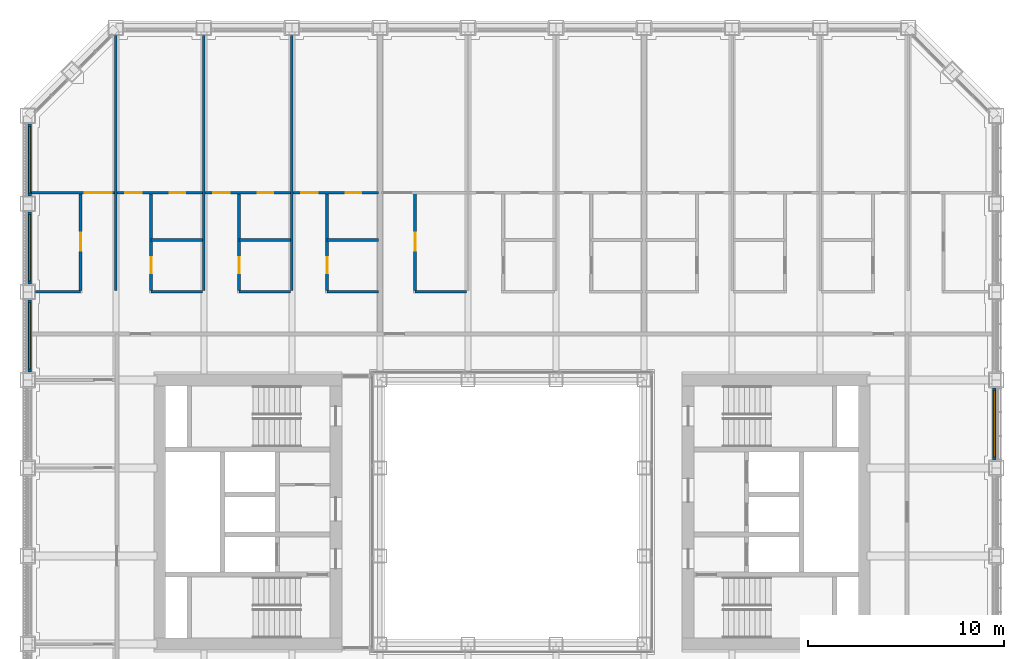
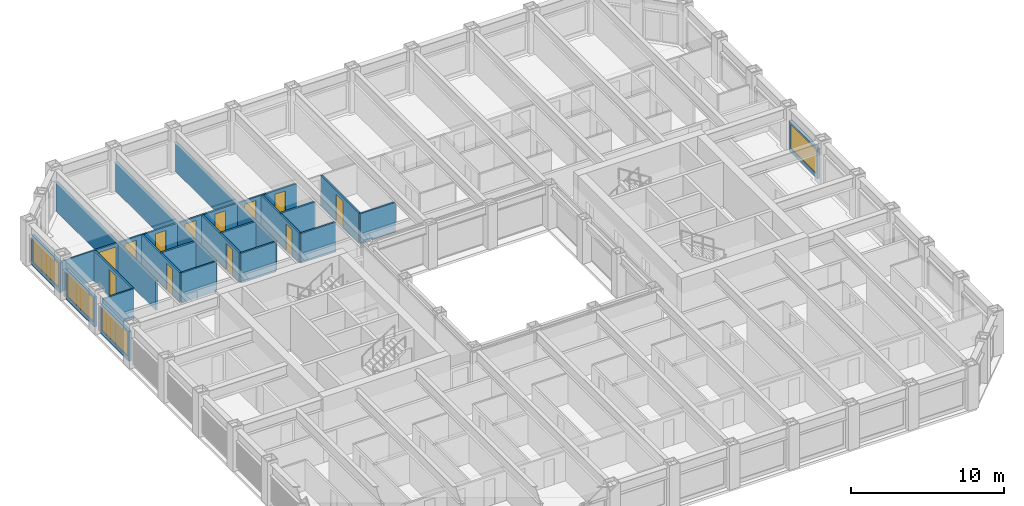
# One storey, part 13 of 21: 24 walls, 12 doors, 4 windows, 16 openings.
"""IFC4 building model written with IfcOpenShell, lengths in metres."""

from ifc_helpers import new_model, si_unit, direction, frame, frame_2d, origin, place, context, subcontext, project, spatial, rectangle, extrude, material, layer, layer_set, type_object, element, fill, save


model = new_model("IFC4")

# Units and contexts
model_context = context("Model", 3, precision=1e-05, world=origin(), true_north=direction((0.0, 1.0)))
body_context = subcontext(model_context, "Body", "Model", "MODEL_VIEW")
ifc_project = project(units=[si_unit("LENGTHUNIT", "METRE"), si_unit("AREAUNIT", "SQUARE_METRE"), si_unit("VOLUMEUNIT", "CUBIC_METRE"), si_unit("PLANEANGLEUNIT", "RADIAN"), si_unit("MASSUNIT", "GRAM", prefix="KILO")], contexts=[model_context])

# Site, building, storey
site_placement = place(None, origin())
site = spatial("IfcSite", under=ifc_project, at=site_placement, CompositionType="ELEMENT")
building_placement = place(site_placement, origin())
building = spatial("IfcBuilding", under=site, at=building_placement, Name="Msasa Ring Tower", CompositionType="ELEMENT")
storey_placement = place(building_placement, frame((0.0, 0.0, 89.5)))
storey = spatial("IfcBuildingStorey", under=building, at=storey_placement, Name="L23", CompositionType="ELEMENT", Elevation=89.5)

# Wall, opening, window
ifc_material_1 = material(Name="Terracotta rainscreen on blockwork", Category="masonry")
ifc_layer_1 = layer(ifc_material_1, 0.199951171875)
ifc_layer_set_1 = layer_set([ifc_layer_1], Name="FW1 TERRACOTTA-LINED INFILL BAY WALL 200")
wall_type_1 = type_object("IfcWallType", Name="FW1 TERRACOTTA-LINED INFILL BAY WALL 200", PredefinedType="SOLIDWALL", material=ifc_layer_set_1)
wall_1_placement = place(storey_placement, frame((24.64990234375, 2.655029296875, 0.0), z_axis=(0.0, 0.0, 1.0), x_axis=(0.0, 1.0, 0.0)))
wall_1 = element("IfcWall", 1, at=wall_1_placement, inside=storey, type_object=wall_type_1, Name="Infill bay wall E L23 16", PredefinedType="SOLIDWALL", context=body_context, shape_type="SweptSolid", body=[
    extrude(rectangle(XDim=3.68994140625, YDim=0.199951171875, at=frame_2d((1.844970703125, 0.0))), origin(), (0.0, 0.0, 1.0), 2.37890625),
])
opening_1_placement = place(wall_1_placement, frame((0.14501953125, 0.0, 0.300048828125)))
opening_1 = element("IfcOpeningElement", 2, at=opening_1_placement, cuts=wall_1, Name="Opening WN1", PredefinedType="OPENING", context=body_context, shape_type="SweptSolid", body=[
    extrude(rectangle(XDim=3.39990234375, YDim=1.928955078125, at=frame_2d((1.699951171875, 0.96435546875))), frame((0.0, 0.10986328125, 0.0), z_axis=(0.0, -1.0, 0.0), x_axis=(1.0, 0.0, 0.0)), (0.0, 0.0, 1.0), 0.219970703125),
])
ifc_material_2 = material(Name="Aluminium frame with clear glass", Category="aluminium")
window_type = type_object("IfcWindowType", Name="WN1 RESIDENCE WINDOW 3400x1929", PartitioningType="SINGLE_PANEL", PredefinedType="WINDOW", material=ifc_material_2)
window_1_placement = place(opening_1_placement, origin())
window_1 = element("IfcWindow", 3, at=window_1_placement, inside=storey, type_object=window_type, Name="Window E L23 16", OverallHeight=1.928955078125, OverallWidth=3.39990234375, PartitioningType="SINGLE_PANEL", PredefinedType="WINDOW", context=body_context, shape_type="SweptSolid", body=[
    extrude(rectangle(XDim=3.39990234375, YDim=1.928955078125, at=frame_2d((1.699951171875, 0.96435546875))), frame((0.0, 0.030029296875, 0.0), z_axis=(0.0, -1.0, 0.0), x_axis=(1.0, 0.0, 0.0)), (0.0, 0.0, 1.0), 0.06005859375),
])
fill(opening_1, window_1)

wall_2_placement = place(storey_placement, frame((-24.64990234375, 7.155029296875, 0.0), z_axis=(0.0, 0.0, 1.0), x_axis=(0.0, 1.0, 0.0)))
wall_2 = element("IfcWall", 4, at=wall_2_placement, inside=storey, type_object=wall_type_1, Name="Infill bay wall W L23 39", PredefinedType="SOLIDWALL", context=body_context, shape_type="SweptSolid", body=[
    extrude(rectangle(XDim=3.68994140625, YDim=0.199951171875, at=frame_2d((1.844970703125, 0.0))), origin(), (0.0, 0.0, 1.0), 2.37890625),
])
opening_2_placement = place(wall_2_placement, frame((0.14501953125, 0.0, 0.300048828125)))
opening_2 = element("IfcOpeningElement", 5, at=opening_2_placement, cuts=wall_2, Name="Opening WN1", PredefinedType="OPENING", context=body_context, shape_type="SweptSolid", body=[
    extrude(rectangle(XDim=3.39990234375, YDim=1.928955078125, at=frame_2d((1.699951171875, 0.96435546875))), frame((0.0, 0.10986328125, 0.0), z_axis=(0.0, -1.0, 0.0), x_axis=(1.0, 0.0, 0.0)), (0.0, 0.0, 1.0), 0.219970703125),
])
window_2_placement = place(opening_2_placement, origin())
window_2 = element("IfcWindow", 6, at=window_2_placement, inside=storey, type_object=window_type, Name="Window W L23 39", OverallHeight=1.928955078125, OverallWidth=3.39990234375, PartitioningType="SINGLE_PANEL", PredefinedType="WINDOW", context=body_context, shape_type="SweptSolid", body=[
    extrude(rectangle(XDim=3.39990234375, YDim=1.928955078125, at=frame_2d((1.699951171875, 0.96435546875))), frame((0.0, 0.030029296875, 0.0), z_axis=(0.0, -1.0, 0.0), x_axis=(1.0, 0.0, 0.0)), (0.0, 0.0, 1.0), 0.06005859375),
])
fill(opening_2, window_2)

wall_3_placement = place(storey_placement, frame((-24.64990234375, 11.655029296875, 0.0), z_axis=(0.0, 0.0, 1.0), x_axis=(0.0, 1.0, 0.0)))
wall_3 = element("IfcWall", 7, at=wall_3_placement, inside=storey, type_object=wall_type_1, Name="Infill bay wall W L23 40", PredefinedType="SOLIDWALL", context=body_context, shape_type="SweptSolid", body=[
    extrude(rectangle(XDim=3.68994140625, YDim=0.199951171875, at=frame_2d((1.844970703125, 0.0))), origin(), (0.0, 0.0, 1.0), 2.37890625),
])
opening_3_placement = place(wall_3_placement, frame((0.14501953125, 0.0, 0.300048828125)))
opening_3 = element("IfcOpeningElement", 8, at=opening_3_placement, cuts=wall_3, Name="Opening WN1", PredefinedType="OPENING", context=body_context, shape_type="SweptSolid", body=[
    extrude(rectangle(XDim=3.39990234375, YDim=1.928955078125, at=frame_2d((1.699951171875, 0.96435546875))), frame((0.0, 0.10986328125, 0.0), z_axis=(0.0, -1.0, 0.0), x_axis=(1.0, 0.0, 0.0)), (0.0, 0.0, 1.0), 0.219970703125),
])
window_3_placement = place(opening_3_placement, origin())
window_3 = element("IfcWindow", 9, at=window_3_placement, inside=storey, type_object=window_type, Name="Window W L23 40", OverallHeight=1.928955078125, OverallWidth=3.39990234375, PartitioningType="SINGLE_PANEL", PredefinedType="WINDOW", context=body_context, shape_type="SweptSolid", body=[
    extrude(rectangle(XDim=3.39990234375, YDim=1.928955078125, at=frame_2d((1.699951171875, 0.96435546875))), frame((0.0, 0.030029296875, 0.0), z_axis=(0.0, -1.0, 0.0), x_axis=(1.0, 0.0, 0.0)), (0.0, 0.0, 1.0), 0.06005859375),
])
fill(opening_3, window_3)

wall_4_placement = place(storey_placement, frame((-24.64990234375, 16.155029296875, 0.0), z_axis=(0.0, 0.0, 1.0), x_axis=(0.0, 1.0, 0.0)))
wall_4 = element("IfcWall", 10, at=wall_4_placement, inside=storey, type_object=wall_type_1, Name="Infill bay wall W L23 41", PredefinedType="SOLIDWALL", context=body_context, shape_type="SweptSolid", body=[
    extrude(rectangle(XDim=3.68994140625, YDim=0.199951171875, at=frame_2d((1.844970703125, 0.0))), origin(), (0.0, 0.0, 1.0), 2.37890625),
])
opening_4_placement = place(wall_4_placement, frame((0.14501953125, 0.0, 0.300048828125)))
opening_4 = element("IfcOpeningElement", 11, at=opening_4_placement, cuts=wall_4, Name="Opening WN1", PredefinedType="OPENING", context=body_context, shape_type="SweptSolid", body=[
    extrude(rectangle(XDim=3.39990234375, YDim=1.928955078125, at=frame_2d((1.699951171875, 0.96435546875))), frame((0.0, 0.10986328125, 0.0), z_axis=(0.0, -1.0, 0.0), x_axis=(1.0, 0.0, 0.0)), (0.0, 0.0, 1.0), 0.219970703125),
])
window_4_placement = place(opening_4_placement, origin())
window_4 = element("IfcWindow", 12, at=window_4_placement, inside=storey, type_object=window_type, Name="Window W L23 41", OverallHeight=1.928955078125, OverallWidth=3.39990234375, PartitioningType="SINGLE_PANEL", PredefinedType="WINDOW", context=body_context, shape_type="SweptSolid", body=[
    extrude(rectangle(XDim=3.39990234375, YDim=1.928955078125, at=frame_2d((1.699951171875, 0.96435546875))), frame((0.0, 0.030029296875, 0.0), z_axis=(0.0, -1.0, 0.0), x_axis=(1.0, 0.0, 0.0)), (0.0, 0.0, 1.0), 0.06005859375),
])
fill(opening_4, window_4)

# Wall, opening, door
ifc_material_3 = material(Name="Moisture-resistant board on steel studs with a concealed cistern and pipe void, tiled", Category="steel")
ifc_layer_2 = layer(ifc_material_3, 0.14990234375)
ifc_layer_set_2 = layer_set([ifc_layer_2], Name="PT4 BATHROOM WET WALL 150")
wall_type_2 = type_object("IfcWallType", Name="PT4 BATHROOM WET WALL 150", PredefinedType="PARTITIONING", material=ifc_layer_set_2)
wall_5_placement = place(storey_placement, frame((-22.050048828125, 11.3125, 0.0), z_axis=(0.0, 0.0, 1.0), x_axis=(0.0, 1.0, 0.0)))
wall_5 = element("IfcWall", 13, at=wall_5_placement, inside=storey, type_object=wall_type_2, Name="Partition L23-UN00SX0", PredefinedType="PARTITIONING", context=body_context, shape_type="SweptSolid", body=[
    extrude(rectangle(XDim=5.0, YDim=0.14990234375, at=frame_2d((2.5, 0.0))), origin(), (0.0, 0.0, 1.0), 2.373291015625),
])
opening_5_placement = place(wall_5_placement, frame((2.050048828125, 0.0, 0.0)))
opening_5 = element("IfcOpeningElement", 14, at=opening_5_placement, cuts=wall_5, Name="Opening RG-020", PredefinedType="OPENING", context=body_context, shape_type="SweptSolid", body=[
    extrude(rectangle(XDim=0.89990234375, YDim=2.10009765625, at=frame_2d((0.449951171875, 1.050048828125))), frame((0.0, 0.0849609375, 0.0), z_axis=(0.0, -1.0, 0.0), x_axis=(1.0, 0.0, 0.0)), (0.0, 0.0, 1.0), 0.169921875),
])
ifc_material_4 = material(Name="Timber door leaf in a steel frame", Category="steel")
door_type_1 = type_object("IfcDoorType", Name="D22 INTERNAL HALL DOOR 900x2100", OperationType="SINGLE_SWING_LEFT", PredefinedType="DOOR", material=ifc_material_4)
door_1_placement = place(opening_5_placement, origin())
door_1 = element("IfcDoor", 15, at=door_1_placement, inside=storey, type_object=door_type_1, Name="Door L23-UN00K", OperationType="SINGLE_SWING_LEFT", OverallHeight=2.10009765625, OverallWidth=0.89990234375, PredefinedType="DOOR", context=body_context, shape_type="SweptSolid", body=[
    extrude(rectangle(XDim=0.89990234375, YDim=2.10009765625, at=frame_2d((0.449951171875, 1.050048828125))), frame((0.0, 0.02490234375, 0.0), z_axis=(0.0, -1.0, 0.0), x_axis=(1.0, 0.0, 0.0)), (0.0, 0.0, 1.0), 0.050048828125),
])
fill(opening_5, door_1)

wall_6_placement = place(storey_placement, frame((-18.449951171875, 11.3125, 0.0), z_axis=(0.0, 0.0, 1.0), x_axis=(0.0, 1.0, 0.0)))
wall_6 = element("IfcWall", 16, at=wall_6_placement, inside=storey, type_object=wall_type_2, Name="Partition L23-UN00SX1", PredefinedType="PARTITIONING", context=body_context, shape_type="SweptSolid", body=[
    extrude(rectangle(XDim=5.0, YDim=0.14990234375, at=frame_2d((2.5, 0.0))), origin(), (0.0, 0.0, 1.0), 2.373291015625),
])
opening_6_placement = place(wall_6_placement, frame((0.89990234375, 0.0, 0.0)))
opening_6 = element("IfcOpeningElement", 17, at=opening_6_placement, cuts=wall_6, Name="Opening RG-023", PredefinedType="OPENING", context=body_context, shape_type="SweptSolid", body=[
    extrude(rectangle(XDim=0.800048828125, YDim=2.10009765625, at=frame_2d((0.39990234375, 1.050048828125))), frame((0.0, 0.0849609375, 0.0), z_axis=(0.0, -1.0, 0.0), x_axis=(1.0, 0.0, 0.0)), (0.0, 0.0, 1.0), 0.169921875),
])
ifc_material_5 = material(Name="Timber door leaf in a steel frame", Category="steel")
door_type_2 = type_object("IfcDoorType", Name="D21 POCKET SLIDING BATHROOM DOOR 800x2100", OperationType="SINGLE_SWING_LEFT", PredefinedType="DOOR", material=ifc_material_5)
door_2_placement = place(opening_6_placement, origin())
door_2 = element("IfcDoor", 18, at=door_2_placement, inside=storey, type_object=door_type_2, Name="Door L23-UN00B1", OperationType="SINGLE_SWING_LEFT", OverallHeight=2.10009765625, OverallWidth=0.800048828125, PredefinedType="DOOR", context=body_context, shape_type="SweptSolid", body=[
    extrude(rectangle(XDim=0.800048828125, YDim=2.10009765625, at=frame_2d((0.39990234375, 1.050048828125))), frame((0.0, 0.02490234375, 0.0), z_axis=(0.0, -1.0, 0.0), x_axis=(1.0, 0.0, 0.0)), (0.0, 0.0, 1.0), 0.050048828125),
])
fill(opening_6, door_2)

# Wall
wall_7_placement = place(storey_placement, frame((-18.449951171875, 13.91259765625, 0.0), z_axis=(0.0, 0.0, 1.0), x_axis=(1.0, 0.0, 0.0)))
element("IfcWall", 19, at=wall_7_placement, inside=storey, type_object=wall_type_2, Name="Partition L23-UN00SB1", PredefinedType="PARTITIONING", context=body_context, shape_type="SweptSolid", body=[
    extrude(rectangle(XDim=2.637451171875, YDim=0.14990234375, at=frame_2d((1.31884765625, 0.0))), origin(), (0.0, 0.0, 1.0), 2.373291015625),
])

# Wall, opening, door
wall_8_placement = place(storey_placement, frame((-13.949951171875, 11.3125, 0.0), z_axis=(0.0, 0.0, 1.0), x_axis=(0.0, 1.0, 0.0)))
wall_8 = element("IfcWall", 20, at=wall_8_placement, inside=storey, type_object=wall_type_2, Name="Partition L23-UN00SX2", PredefinedType="PARTITIONING", context=body_context, shape_type="SweptSolid", body=[
    extrude(rectangle(XDim=5.0, YDim=0.14990234375, at=frame_2d((2.5, 0.0))), origin(), (0.0, 0.0, 1.0), 2.373291015625),
])
opening_7_placement = place(wall_8_placement, frame((0.89990234375, 0.0, 0.0)))
opening_7 = element("IfcOpeningElement", 21, at=opening_7_placement, cuts=wall_8, Name="Opening RG-024", PredefinedType="OPENING", context=body_context, shape_type="SweptSolid", body=[
    extrude(rectangle(XDim=0.800048828125, YDim=2.10009765625, at=frame_2d((0.39990234375, 1.050048828125))), frame((0.0, 0.0849609375, 0.0), z_axis=(0.0, -1.0, 0.0), x_axis=(1.0, 0.0, 0.0)), (0.0, 0.0, 1.0), 0.169921875),
])
door_3_placement = place(opening_7_placement, origin())
door_3 = element("IfcDoor", 22, at=door_3_placement, inside=storey, type_object=door_type_2, Name="Door L23-UN00B2", OperationType="SINGLE_SWING_LEFT", OverallHeight=2.10009765625, OverallWidth=0.800048828125, PredefinedType="DOOR", context=body_context, shape_type="SweptSolid", body=[
    extrude(rectangle(XDim=0.800048828125, YDim=2.10009765625, at=frame_2d((0.39990234375, 1.050048828125))), frame((0.0, 0.02490234375, 0.0), z_axis=(0.0, -1.0, 0.0), x_axis=(1.0, 0.0, 0.0)), (0.0, 0.0, 1.0), 0.050048828125),
])
fill(opening_7, door_3)

# Wall
wall_9_placement = place(storey_placement, frame((-13.949951171875, 13.91259765625, 0.0), z_axis=(0.0, 0.0, 1.0), x_axis=(1.0, 0.0, 0.0)))
element("IfcWall", 23, at=wall_9_placement, inside=storey, type_object=wall_type_2, Name="Partition L23-UN00SB2", PredefinedType="PARTITIONING", context=body_context, shape_type="SweptSolid", body=[
    extrude(rectangle(XDim=2.637451171875, YDim=0.14990234375, at=frame_2d((1.31884765625, 0.0))), origin(), (0.0, 0.0, 1.0), 2.373291015625),
])

# Wall, opening, door
wall_10_placement = place(storey_placement, frame((-9.449951171875, 11.3125, 0.0), z_axis=(0.0, 0.0, 1.0), x_axis=(0.0, 1.0, 0.0)))
wall_10 = element("IfcWall", 24, at=wall_10_placement, inside=storey, type_object=wall_type_2, Name="Partition L23-UN00SX3", PredefinedType="PARTITIONING", context=body_context, shape_type="SweptSolid", body=[
    extrude(rectangle(XDim=5.0, YDim=0.14990234375, at=frame_2d((2.5, 0.0))), origin(), (0.0, 0.0, 1.0), 2.373291015625),
])
opening_8_placement = place(wall_10_placement, frame((0.89990234375, 0.0, 0.0)))
opening_8 = element("IfcOpeningElement", 25, at=opening_8_placement, cuts=wall_10, Name="Opening RG-025", PredefinedType="OPENING", context=body_context, shape_type="SweptSolid", body=[
    extrude(rectangle(XDim=0.800048828125, YDim=2.10009765625, at=frame_2d((0.39990234375, 1.050048828125))), frame((0.0, 0.0849609375, 0.0), z_axis=(0.0, -1.0, 0.0), x_axis=(1.0, 0.0, 0.0)), (0.0, 0.0, 1.0), 0.169921875),
])
door_4_placement = place(opening_8_placement, origin())
door_4 = element("IfcDoor", 26, at=door_4_placement, inside=storey, type_object=door_type_2, Name="Door L23-UN00B3", OperationType="SINGLE_SWING_LEFT", OverallHeight=2.10009765625, OverallWidth=0.800048828125, PredefinedType="DOOR", context=body_context, shape_type="SweptSolid", body=[
    extrude(rectangle(XDim=0.800048828125, YDim=2.10009765625, at=frame_2d((0.39990234375, 1.050048828125))), frame((0.0, 0.02490234375, 0.0), z_axis=(0.0, -1.0, 0.0), x_axis=(1.0, 0.0, 0.0)), (0.0, 0.0, 1.0), 0.050048828125),
])
fill(opening_8, door_4)

# Wall
wall_11_placement = place(storey_placement, frame((-9.449951171875, 13.91259765625, 0.0), z_axis=(0.0, 0.0, 1.0), x_axis=(1.0, 0.0, 0.0)))
element("IfcWall", 27, at=wall_11_placement, inside=storey, type_object=wall_type_2, Name="Partition L23-UN00SB3", PredefinedType="PARTITIONING", context=body_context, shape_type="SweptSolid", body=[
    extrude(rectangle(XDim=2.632568359375, YDim=0.14990234375, at=frame_2d((1.31640625, 0.0))), origin(), (0.0, 0.0, 1.0), 2.373291015625),
])

# Wall, opening, door
wall_12_placement = place(storey_placement, frame((-4.949951171875, 11.3125, 0.0), z_axis=(0.0, 0.0, 1.0), x_axis=(0.0, 1.0, 0.0)))
wall_12 = element("IfcWall", 28, at=wall_12_placement, inside=storey, type_object=wall_type_2, Name="Partition L23-UN01SX0", PredefinedType="PARTITIONING", context=body_context, shape_type="SweptSolid", body=[
    extrude(rectangle(XDim=5.0, YDim=0.14990234375, at=frame_2d((2.5, 0.0))), origin(), (0.0, 0.0, 1.0), 2.373291015625),
])
opening_9_placement = place(wall_12_placement, frame((2.050048828125, 0.0, 0.0)))
opening_9 = element("IfcOpeningElement", 29, at=opening_9_placement, cuts=wall_12, Name="Opening RG-021", PredefinedType="OPENING", context=body_context, shape_type="SweptSolid", body=[
    extrude(rectangle(XDim=0.89990234375, YDim=2.10009765625, at=frame_2d((0.449951171875, 1.050048828125))), frame((0.0, 0.0849609375, 0.0), z_axis=(0.0, -1.0, 0.0), x_axis=(1.0, 0.0, 0.0)), (0.0, 0.0, 1.0), 0.169921875),
])
door_5_placement = place(opening_9_placement, origin())
door_5 = element("IfcDoor", 30, at=door_5_placement, inside=storey, type_object=door_type_1, Name="Door L23-UN01K", OperationType="SINGLE_SWING_LEFT", OverallHeight=2.10009765625, OverallWidth=0.89990234375, PredefinedType="DOOR", context=body_context, shape_type="SweptSolid", body=[
    extrude(rectangle(XDim=0.89990234375, YDim=2.10009765625, at=frame_2d((0.449951171875, 1.050048828125))), frame((0.0, 0.02490234375, 0.0), z_axis=(0.0, -1.0, 0.0), x_axis=(1.0, 0.0, 0.0)), (0.0, 0.0, 1.0), 0.050048828125),
])
fill(opening_9, door_5)

# Wall
ifc_material_6 = material(Name="Two layers of acoustic board each face on steel studs, mineral wool", Category="steel")
ifc_layer_3 = layer(ifc_material_6, 0.125)
ifc_layer_set_3 = layer_set([ifc_layer_3], Name="PT6 ACOUSTIC DOUBLE-BOARD PARTITION 125")
wall_type_3 = type_object("IfcWallType", Name="PT6 ACOUSTIC DOUBLE-BOARD PARTITION 125", PredefinedType="PARTITIONING", material=ifc_layer_set_3)
wall_13_placement = place(storey_placement, frame((-24.35009765625, 11.25, 0.0), z_axis=(0.0, 0.0, 1.0), x_axis=(1.0, 0.0, 0.0)))
element("IfcWall", 31, at=wall_13_placement, inside=storey, type_object=wall_type_3, Name="Partition L23-UN00HY0", PredefinedType="PARTITIONING", context=body_context, shape_type="SweptSolid", body=[
    extrude(rectangle(XDim=2.300048828125, YDim=0.125, at=frame_2d((1.14990234375, 0.0))), origin(), (0.0, 0.0, 1.0), 2.373291015625),
])

# Wall, opening, door
wall_14_placement = place(storey_placement, frame((-24.550048828125, 16.3125, 0.0), z_axis=(0.0, 0.0, 1.0), x_axis=(1.0, 0.0, 0.0)))
wall_14 = element("IfcWall", 32, at=wall_14_placement, inside=storey, type_object=wall_type_3, Name="Partition L23-UN00SY0", PredefinedType="PARTITIONING", context=body_context, shape_type="SweptSolid", body=[
    extrude(rectangle(XDim=4.237548828125, YDim=0.125, at=frame_2d((2.11865234375, 0.0))), origin(), (0.0, 0.0, 1.0), 2.373291015625),
])
opening_10_placement = place(wall_14_placement, frame((2.699951171875, 0.0, 0.0)))
opening_10 = element("IfcOpeningElement", 33, at=opening_10_placement, cuts=wall_14, Name="Opening RG-001", PredefinedType="OPENING", context=body_context, shape_type="SweptSolid", body=[
    extrude(rectangle(XDim=1.39990234375, YDim=2.10009765625, at=frame_2d((0.699951171875, 1.050048828125))), frame((0.0, 0.072509765625, 0.0), z_axis=(0.0, -1.0, 0.0), x_axis=(1.0, 0.0, 0.0)), (0.0, 0.0, 1.0), 0.14501953125),
])
ifc_material_7 = material(Name="Timber door leaf in a steel frame", Category="steel")
door_type_3 = type_object("IfcDoorType", Name="D15 LIVING ROOM PAIR OF GLAZED DOORS 1400x2100", OperationType="SINGLE_SWING_LEFT", PredefinedType="DOOR", material=ifc_material_7)
door_6_placement = place(opening_10_placement, origin())
door_6 = element("IfcDoor", 34, at=door_6_placement, inside=storey, type_object=door_type_3, Name="Door L23-UN00L", OperationType="SINGLE_SWING_RIGHT", OverallHeight=2.10009765625, OverallWidth=1.39990234375, PredefinedType="DOOR", context=body_context, shape_type="SweptSolid", body=[
    extrude(rectangle(XDim=1.39990234375, YDim=2.10009765625, at=frame_2d((0.699951171875, 1.050048828125))), frame((0.0, 0.02490234375, 0.0), z_axis=(0.0, -1.0, 0.0), x_axis=(1.0, 0.0, 0.0)), (0.0, 0.0, 1.0), 0.050048828125),
])
fill(opening_10, door_6)

# Walls
wall_15_placement = place(storey_placement, frame((-20.25, 11.3125, 0.0), z_axis=(0.0, 0.0, 1.0), x_axis=(0.0, 1.0, 0.0)))
element("IfcWall", 35, at=wall_15_placement, inside=storey, type_object=wall_type_3, Name="Partition L23-UN00P1", PredefinedType="PARTITIONING", context=body_context, shape_type="SweptSolid", body=[
    extrude(rectangle(XDim=13.03759765625, YDim=0.125, at=frame_2d((6.518798828125, 0.0))), origin(), (0.0, 0.0, 1.0), 2.373291015625),
])
wall_16_placement = place(storey_placement, frame((-18.449951171875, 11.25, 0.0), z_axis=(0.0, 0.0, 1.0), x_axis=(1.0, 0.0, 0.0)))
element("IfcWall", 36, at=wall_16_placement, inside=storey, type_object=wall_type_3, Name="Partition L23-UN00HY1", PredefinedType="PARTITIONING", context=body_context, shape_type="SweptSolid", body=[
    extrude(rectangle(XDim=2.632568359375, YDim=0.125, at=frame_2d((1.31640625, 0.0))), origin(), (0.0, 0.0, 1.0), 2.373291015625),
])

# Wall, openings, doors
wall_17_placement = place(storey_placement, frame((-20.1875, 16.3125, 0.0), z_axis=(0.0, 0.0, 1.0), x_axis=(1.0, 0.0, 0.0)))
wall_17 = element("IfcWall", 37, at=wall_17_placement, inside=storey, type_object=wall_type_3, Name="Partition L23-UN00SY1", PredefinedType="PARTITIONING", context=body_context, shape_type="SweptSolid", body=[
    extrude(rectangle(XDim=4.375, YDim=0.125, at=frame_2d((2.1875, 0.0))), origin(), (0.0, 0.0, 1.0), 2.373291015625),
])
opening_11_placement = place(wall_17_placement, frame((0.41259765625, 0.0, 0.0)))
opening_11 = element("IfcOpeningElement", 38, at=opening_11_placement, cuts=wall_17, Name="Opening RG-002", PredefinedType="OPENING", context=body_context, shape_type="SweptSolid", body=[
    extrude(rectangle(XDim=0.85009765625, YDim=2.10009765625, at=frame_2d((0.425048828125, 1.050048828125))), frame((0.0, 0.072509765625, 0.0), z_axis=(0.0, -1.0, 0.0), x_axis=(1.0, 0.0, 0.0)), (0.0, 0.0, 1.0), 0.14501953125),
])
opening_12_placement = place(wall_17_placement, frame((2.693603515625, 0.0, 0.0)))
opening_12 = element("IfcOpeningElement", 39, at=opening_12_placement, cuts=wall_17, Name="Opening RG-003", PredefinedType="OPENING", context=body_context, shape_type="SweptSolid", body=[
    extrude(rectangle(XDim=0.800048828125, YDim=2.10009765625, at=frame_2d((0.39990234375, 1.050048828125))), frame((0.0, 0.072509765625, 0.0), z_axis=(0.0, -1.0, 0.0), x_axis=(1.0, 0.0, 0.0)), (0.0, 0.0, 1.0), 0.14501953125),
])
ifc_material_8 = material(Name="Timber door leaf in a steel frame", Category="steel")
door_type_4 = type_object("IfcDoorType", Name="D14 BEDROOM DOOR 850x2100", OperationType="SINGLE_SWING_LEFT", PredefinedType="DOOR", material=ifc_material_8)
door_7_placement = place(opening_11_placement, origin())
door_7 = element("IfcDoor", 40, at=door_7_placement, inside=storey, type_object=door_type_4, Name="Door L23-UN00R1", OperationType="SINGLE_SWING_LEFT", OverallHeight=2.10009765625, OverallWidth=0.85009765625, PredefinedType="DOOR", context=body_context, shape_type="SweptSolid", body=[
    extrude(rectangle(XDim=0.85009765625, YDim=2.10009765625, at=frame_2d((0.425048828125, 1.050048828125))), frame((0.0, 0.02490234375, 0.0), z_axis=(0.0, -1.0, 0.0), x_axis=(1.0, 0.0, 0.0)), (0.0, 0.0, 1.0), 0.050048828125),
])
fill(opening_11, door_7)
ifc_material_9 = material(Name="Timber door leaf in a steel frame", Category="steel")
door_type_5 = type_object("IfcDoorType", Name="D60 DRESSING ROOM DOOR 800x2100", OperationType="SINGLE_SWING_LEFT", PredefinedType="DOOR", material=ifc_material_9)
door_8_placement = place(opening_12_placement, origin())
door_8 = element("IfcDoor", 41, at=door_8_placement, inside=storey, type_object=door_type_5, Name="Door L23-UN00W1", OperationType="SINGLE_SWING_RIGHT", OverallHeight=2.10009765625, OverallWidth=0.800048828125, PredefinedType="DOOR", context=body_context, shape_type="SweptSolid", body=[
    extrude(rectangle(XDim=0.800048828125, YDim=2.10009765625, at=frame_2d((0.39990234375, 1.050048828125))), frame((0.0, 0.02490234375, 0.0), z_axis=(0.0, -1.0, 0.0), x_axis=(1.0, 0.0, 0.0)), (0.0, 0.0, 1.0), 0.050048828125),
])
fill(opening_12, door_8)

# Walls
wall_18_placement = place(storey_placement, frame((-15.75, 11.3125, 0.0), z_axis=(0.0, 0.0, 1.0), x_axis=(0.0, 1.0, 0.0)))
element("IfcWall", 42, at=wall_18_placement, inside=storey, type_object=wall_type_3, Name="Partition L23-UN00P2", PredefinedType="PARTITIONING", context=body_context, shape_type="SweptSolid", body=[
    extrude(rectangle(XDim=13.03759765625, YDim=0.125, at=frame_2d((6.518798828125, 0.0))), origin(), (0.0, 0.0, 1.0), 2.373291015625),
])
wall_19_placement = place(storey_placement, frame((-13.949951171875, 11.25, 0.0), z_axis=(0.0, 0.0, 1.0), x_axis=(1.0, 0.0, 0.0)))
element("IfcWall", 43, at=wall_19_placement, inside=storey, type_object=wall_type_3, Name="Partition L23-UN00HY2", PredefinedType="PARTITIONING", context=body_context, shape_type="SweptSolid", body=[
    extrude(rectangle(XDim=2.632568359375, YDim=0.125, at=frame_2d((1.31640625, 0.0))), origin(), (0.0, 0.0, 1.0), 2.373291015625),
])

# Wall, openings, doors
wall_20_placement = place(storey_placement, frame((-15.6875, 16.3125, 0.0), z_axis=(0.0, 0.0, 1.0), x_axis=(1.0, 0.0, 0.0)))
wall_20 = element("IfcWall", 44, at=wall_20_placement, inside=storey, type_object=wall_type_3, Name="Partition L23-UN00SY2", PredefinedType="PARTITIONING", context=body_context, shape_type="SweptSolid", body=[
    extrude(rectangle(XDim=4.375, YDim=0.125, at=frame_2d((2.1875, 0.0))), origin(), (0.0, 0.0, 1.0), 2.373291015625),
])
opening_13_placement = place(wall_20_placement, frame((0.41259765625, 0.0, 0.0)))
opening_13 = element("IfcOpeningElement", 45, at=opening_13_placement, cuts=wall_20, Name="Opening RG-004", PredefinedType="OPENING", context=body_context, shape_type="SweptSolid", body=[
    extrude(rectangle(XDim=0.85009765625, YDim=2.10009765625, at=frame_2d((0.425048828125, 1.050048828125))), frame((0.0, 0.072509765625, 0.0), z_axis=(0.0, -1.0, 0.0), x_axis=(1.0, 0.0, 0.0)), (0.0, 0.0, 1.0), 0.14501953125),
])
opening_14_placement = place(wall_20_placement, frame((2.693603515625, 0.0, 0.0)))
opening_14 = element("IfcOpeningElement", 46, at=opening_14_placement, cuts=wall_20, Name="Opening RG-005", PredefinedType="OPENING", context=body_context, shape_type="SweptSolid", body=[
    extrude(rectangle(XDim=0.800048828125, YDim=2.10009765625, at=frame_2d((0.39990234375, 1.050048828125))), frame((0.0, 0.072509765625, 0.0), z_axis=(0.0, -1.0, 0.0), x_axis=(1.0, 0.0, 0.0)), (0.0, 0.0, 1.0), 0.14501953125),
])
door_9_placement = place(opening_13_placement, origin())
door_9 = element("IfcDoor", 47, at=door_9_placement, inside=storey, type_object=door_type_4, Name="Door L23-UN00R2", OperationType="SINGLE_SWING_LEFT", OverallHeight=2.10009765625, OverallWidth=0.85009765625, PredefinedType="DOOR", context=body_context, shape_type="SweptSolid", body=[
    extrude(rectangle(XDim=0.85009765625, YDim=2.10009765625, at=frame_2d((0.425048828125, 1.050048828125))), frame((0.0, 0.02490234375, 0.0), z_axis=(0.0, -1.0, 0.0), x_axis=(1.0, 0.0, 0.0)), (0.0, 0.0, 1.0), 0.050048828125),
])
fill(opening_13, door_9)
door_10_placement = place(opening_14_placement, origin())
door_10 = element("IfcDoor", 48, at=door_10_placement, inside=storey, type_object=door_type_5, Name="Door L23-UN00W2", OperationType="SINGLE_SWING_RIGHT", OverallHeight=2.10009765625, OverallWidth=0.800048828125, PredefinedType="DOOR", context=body_context, shape_type="SweptSolid", body=[
    extrude(rectangle(XDim=0.800048828125, YDim=2.10009765625, at=frame_2d((0.39990234375, 1.050048828125))), frame((0.0, 0.02490234375, 0.0), z_axis=(0.0, -1.0, 0.0), x_axis=(1.0, 0.0, 0.0)), (0.0, 0.0, 1.0), 0.050048828125),
])
fill(opening_14, door_10)

# Walls
wall_21_placement = place(storey_placement, frame((-11.25, 11.3125, 0.0), z_axis=(0.0, 0.0, 1.0), x_axis=(0.0, 1.0, 0.0)))
element("IfcWall", 49, at=wall_21_placement, inside=storey, type_object=wall_type_3, Name="Partition L23-UN00P3", PredefinedType="PARTITIONING", context=body_context, shape_type="SweptSolid", body=[
    extrude(rectangle(XDim=13.03759765625, YDim=0.125, at=frame_2d((6.518798828125, 0.0))), origin(), (0.0, 0.0, 1.0), 2.373291015625),
])
wall_22_placement = place(storey_placement, frame((-9.449951171875, 11.25, 0.0), z_axis=(0.0, 0.0, 1.0), x_axis=(1.0, 0.0, 0.0)))
element("IfcWall", 50, at=wall_22_placement, inside=storey, type_object=wall_type_3, Name="Partition L23-UN00HY3", PredefinedType="PARTITIONING", context=body_context, shape_type="SweptSolid", body=[
    extrude(rectangle(XDim=2.632568359375, YDim=0.125, at=frame_2d((1.31640625, 0.0))), origin(), (0.0, 0.0, 1.0), 2.373291015625),
])

# Wall, openings, doors
wall_23_placement = place(storey_placement, frame((-11.1875, 16.3125, 0.0), z_axis=(0.0, 0.0, 1.0), x_axis=(1.0, 0.0, 0.0)))
wall_23 = element("IfcWall", 51, at=wall_23_placement, inside=storey, type_object=wall_type_3, Name="Partition L23-UN00SY3", PredefinedType="PARTITIONING", context=body_context, shape_type="SweptSolid", body=[
    extrude(rectangle(XDim=4.3701171875, YDim=0.125, at=frame_2d((2.18505859375, 0.0))), origin(), (0.0, 0.0, 1.0), 2.373291015625),
])
opening_15_placement = place(wall_23_placement, frame((0.41259765625, 0.0, 0.0)))
opening_15 = element("IfcOpeningElement", 52, at=opening_15_placement, cuts=wall_23, Name="Opening RG-006", PredefinedType="OPENING", context=body_context, shape_type="SweptSolid", body=[
    extrude(rectangle(XDim=0.85009765625, YDim=2.10009765625, at=frame_2d((0.425048828125, 1.050048828125))), frame((0.0, 0.072509765625, 0.0), z_axis=(0.0, -1.0, 0.0), x_axis=(1.0, 0.0, 0.0)), (0.0, 0.0, 1.0), 0.14501953125),
])
opening_16_placement = place(wall_23_placement, frame((2.693603515625, 0.0, 0.0)))
opening_16 = element("IfcOpeningElement", 53, at=opening_16_placement, cuts=wall_23, Name="Opening RG-007", PredefinedType="OPENING", context=body_context, shape_type="SweptSolid", body=[
    extrude(rectangle(XDim=0.800048828125, YDim=2.10009765625, at=frame_2d((0.39990234375, 1.050048828125))), frame((0.0, 0.072509765625, 0.0), z_axis=(0.0, -1.0, 0.0), x_axis=(1.0, 0.0, 0.0)), (0.0, 0.0, 1.0), 0.14501953125),
])
door_11_placement = place(opening_15_placement, origin())
door_11 = element("IfcDoor", 54, at=door_11_placement, inside=storey, type_object=door_type_4, Name="Door L23-UN00R3", OperationType="SINGLE_SWING_LEFT", OverallHeight=2.10009765625, OverallWidth=0.85009765625, PredefinedType="DOOR", context=body_context, shape_type="SweptSolid", body=[
    extrude(rectangle(XDim=0.85009765625, YDim=2.10009765625, at=frame_2d((0.425048828125, 1.050048828125))), frame((0.0, 0.02490234375, 0.0), z_axis=(0.0, -1.0, 0.0), x_axis=(1.0, 0.0, 0.0)), (0.0, 0.0, 1.0), 0.050048828125),
])
fill(opening_15, door_11)
door_12_placement = place(opening_16_placement, origin())
door_12 = element("IfcDoor", 55, at=door_12_placement, inside=storey, type_object=door_type_5, Name="Door L23-UN00W3", OperationType="SINGLE_SWING_RIGHT", OverallHeight=2.10009765625, OverallWidth=0.800048828125, PredefinedType="DOOR", context=body_context, shape_type="SweptSolid", body=[
    extrude(rectangle(XDim=0.800048828125, YDim=2.10009765625, at=frame_2d((0.39990234375, 1.050048828125))), frame((0.0, 0.02490234375, 0.0), z_axis=(0.0, -1.0, 0.0), x_axis=(1.0, 0.0, 0.0)), (0.0, 0.0, 1.0), 0.050048828125),
])
fill(opening_16, door_12)

# Wall
wall_24_placement = place(storey_placement, frame((-4.949951171875, 11.25, 0.0), z_axis=(0.0, 0.0, 1.0), x_axis=(1.0, 0.0, 0.0)))
element("IfcWall", 56, at=wall_24_placement, inside=storey, type_object=wall_type_3, Name="Partition L23-UN01HY0", PredefinedType="PARTITIONING", context=body_context, shape_type="SweptSolid", body=[
    extrude(rectangle(XDim=2.632568359375, YDim=0.125, at=frame_2d((1.31640625, 0.0))), origin(), (0.0, 0.0, 1.0), 2.373291015625),
])

save(model, "model.ifc")
